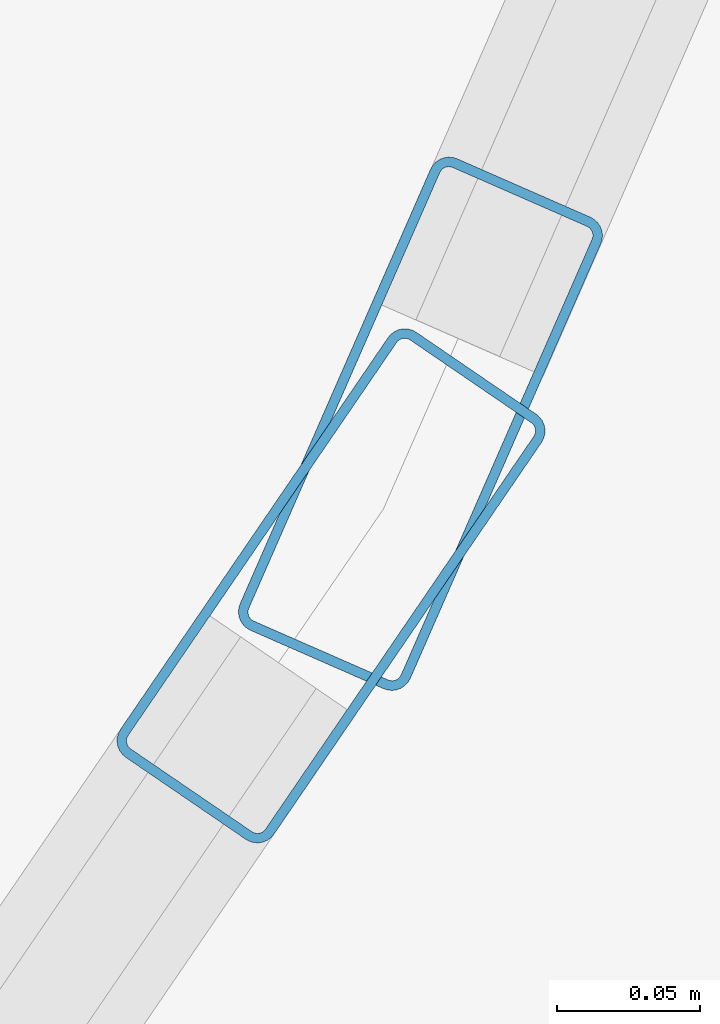
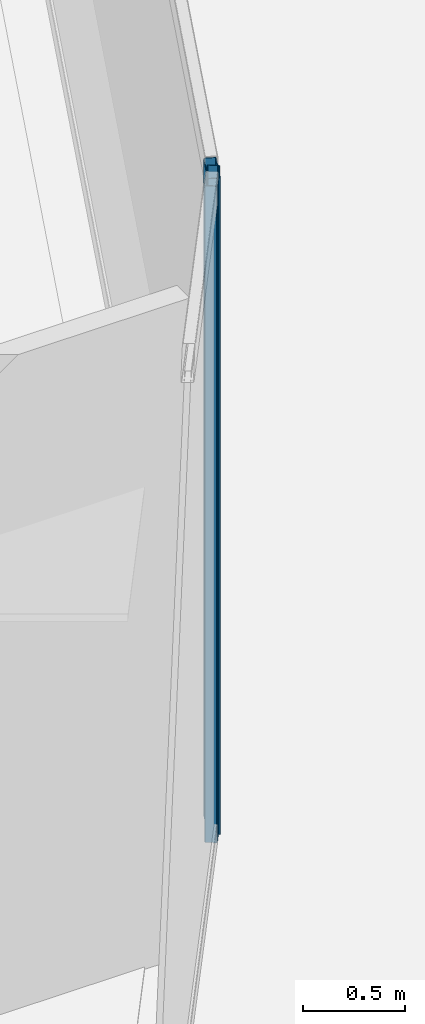
# One storey, part 11 of 46: 2 members, 2 elements without a shape of their own.
"""IFC4 building model written with IfcOpenShell, lengths in metres."""

from ifc_helpers import new_model, si_unit, direction, frame, origin, origin_2d, place, context, subcontext, project, spatial, hollow_rectangle, extrude, material, layer, layer_set, material_profile, profile_set, type_object, element, aggregate, save


model = new_model("IFC4")

# Units and contexts
model_context = context("Model", 3, precision=1e-05, world=origin(), true_north=direction((0.0, 1.0)))
body_context = subcontext(model_context, "Body", "Model", "MODEL_VIEW")
ifc_project = project(units=[si_unit("LENGTHUNIT", "METRE"), si_unit("AREAUNIT", "SQUARE_METRE"), si_unit("VOLUMEUNIT", "CUBIC_METRE"), si_unit("PLANEANGLEUNIT", "RADIAN"), si_unit("MASSUNIT", "GRAM", prefix="KILO")], contexts=[model_context])

# Site, building, storey
site_placement = place(None, origin())
site = spatial("IfcSite", under=ifc_project, at=site_placement, CompositionType="ELEMENT")
building_placement = place(site_placement, origin())
building = spatial("IfcBuilding", under=site, at=building_placement, Name="Qorvath Tower", CompositionType="ELEMENT")
storey_placement = place(building_placement, frame((0.0, 0.0, 87.0)))
storey = spatial("IfcBuildingStorey", under=building, at=storey_placement, Name="L19", CompositionType="ELEMENT", Elevation=87.0)

# Curtain wall, member
ifc_material_1 = material(Name="Anodised aluminium and triple low-E glass", Category="aluminium")
ifc_layer = layer(ifc_material_1, 0.179931640625)
ifc_layer_set = layer_set([ifc_layer], Name="CW-SYS-2")
curtain_wall_type = type_object("IfcCurtainWallType", Name="CW-SYS-2", PredefinedType="NOTDEFINED", material=ifc_layer_set)
curtain_wall_1_placement = place(storey_placement, origin())
curtain_wall_1 = element("IfcCurtainWall", 1, at=curtain_wall_1_placement, inside=storey, type_object=curtain_wall_type, Name="Curtain Wall CW-2 CW-T-L19-5.1", PredefinedType="NOTDEFINED")
ifc_material_2 = material(Name="Anodised aluminium 6063-T6", Category="aluminium")
ifc_material_profile = material_profile(ifc_material_2, hollow_rectangle(XDim=0.06494140625, YDim=0.179931640625, WallThickness=0.00341796875, InnerFilletRadius=0.00341796875, OuterFilletRadius=0.007080078125, at=origin_2d()), Name="CWM 180x65")
ifc_profile_set = profile_set([ifc_material_profile], Name="Anodised aluminium 6063-T6")
member_type = type_object("IfcMemberType", Name="CWM-180", PredefinedType="MULLION", material=ifc_profile_set)
member_1_placement = place(storey_placement, frame((1.3544921875, -18.71337890625, 0.0), z_axis=(0.0, 0.0, 1.0), x_axis=(-0.825750255931, 0.564035916259, 0.0)))
member_1 = element("IfcMember", 2, at=member_1_placement, type_object=member_type, Name="CW-2 mullion 2", PredefinedType="MULLION", context=body_context, shape_type="SweptSolid", body=[
    extrude(hollow_rectangle(XDim=0.06494140625, YDim=0.179931640625, WallThickness=0.00341796875, InnerFilletRadius=0.00341796875, OuterFilletRadius=0.007080078125, at=origin_2d()), origin(), (0.0, 0.0, 1.0), 3.919921875),
])
aggregate(curtain_wall_1, [member_1])

curtain_wall_2_placement = place(storey_placement, origin())
curtain_wall_2 = element("IfcCurtainWall", 3, at=curtain_wall_2_placement, inside=storey, type_object=curtain_wall_type, Name="Curtain Wall CW-2 CW-T-L19-6.1", PredefinedType="NOTDEFINED")
member_2_placement = place(storey_placement, frame((1.3857421875, -18.65673828125, 0.0), z_axis=(0.0, 0.0, 1.0), x_axis=(-0.915885530927, 0.401439527499, 0.0)))
member_2 = element("IfcMember", 4, at=member_2_placement, type_object=member_type, Name="CW-2 mullion 1", PredefinedType="MULLION", context=body_context, shape_type="SweptSolid", body=[
    extrude(hollow_rectangle(XDim=0.06494140625, YDim=0.179931640625, WallThickness=0.00341796875, InnerFilletRadius=0.00341796875, OuterFilletRadius=0.007080078125, at=origin_2d()), origin(), (0.0, 0.0, 1.0), 3.919921875),
])
aggregate(curtain_wall_2, [member_2])

save(model, "model.ifc")
